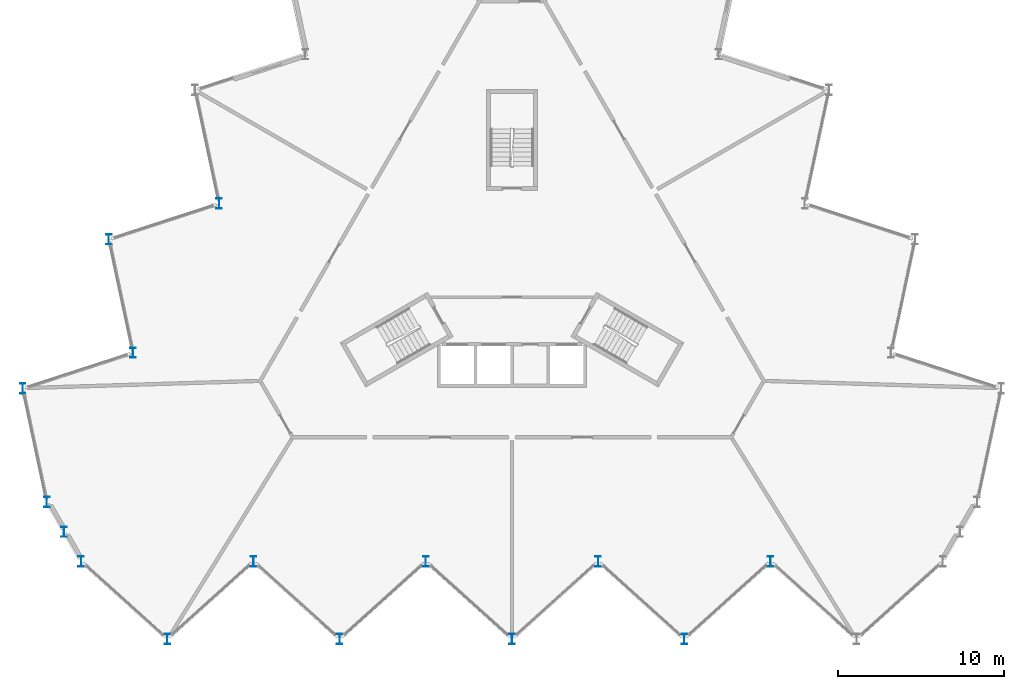
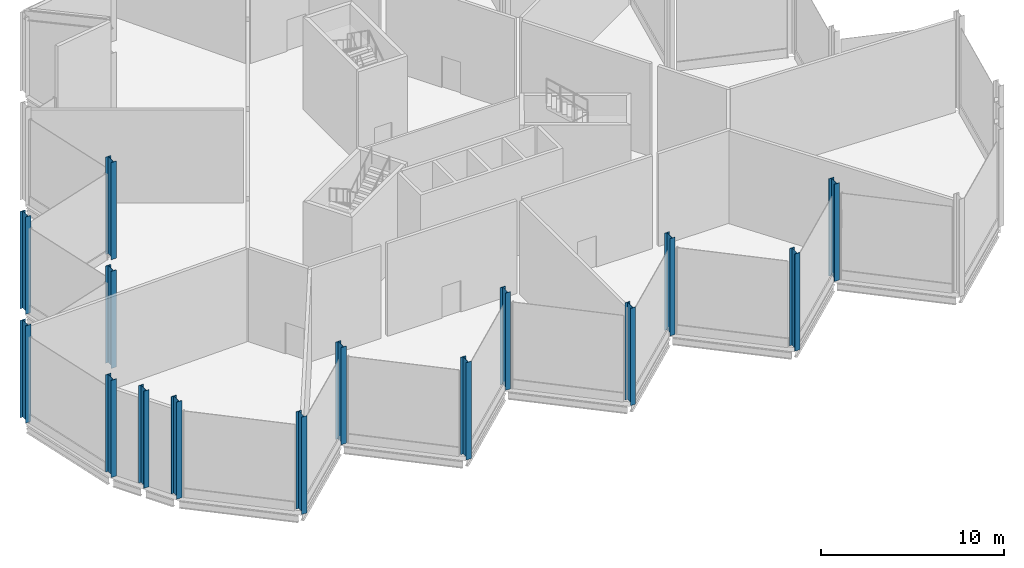
# One storey, part 1 of 12: 15 columns.
"""IFC4 building model written with IfcOpenShell, lengths in metres."""

from ifc_helpers import new_model, si_unit, direction, frame, origin, origin_2d, place, context, subcontext, project, spatial, i_section, extrude, material, material_profile, profile_set, type_object, element, save


model = new_model("IFC4")

# Units and contexts
model_context = context("Model", 3, precision=1e-05, world=origin(), true_north=direction((0.0, 1.0)))
body_context = subcontext(model_context, "Body", "Model", "MODEL_VIEW")
ifc_project = project(units=[si_unit("LENGTHUNIT", "METRE"), si_unit("AREAUNIT", "SQUARE_METRE"), si_unit("VOLUMEUNIT", "CUBIC_METRE"), si_unit("PLANEANGLEUNIT", "RADIAN"), si_unit("MASSUNIT", "GRAM", prefix="KILO")], contexts=[model_context])

# Site, building, storey
site_placement = place(None, origin())
site = spatial("IfcSite", under=ifc_project, at=site_placement, CompositionType="ELEMENT")
building_placement = place(site_placement, origin())
building = spatial("IfcBuilding", under=site, at=building_placement, Name="Cormorant Prow Tower", CompositionType="ELEMENT")
storey_placement = place(building_placement, frame((0.0, 0.0, 434.699951171875)))
storey = spatial("IfcBuildingStorey", under=building, at=storey_placement, Name="L97", CompositionType="ELEMENT", Elevation=434.699951171875)

# Columns
ifc_material = material(Name="Structural steel ASTM A992 Gr 50", Category="steel")
ifc_material_profile = material_profile(ifc_material, i_section(OverallWidth=0.326416015625, OverallDepth=0.621826171875, WebThickness=0.015380859375, FlangeThickness=0.0244140625, at=origin_2d()), Name="W24x131")
ifc_profile_set = profile_set([ifc_material_profile], Name="Structural steel ASTM A992 Gr 50")
column_type = type_object("IfcColumnType", Name="Crown frame column W24x131", PredefinedType="COLUMN", material=ifc_profile_set)
for number, where, z_axis, x_axis, name in (
    (1, (-26.0, -17.40576171875, 0.0), (0.0, 0.0, 1.0), (1.0, 0.0, 0.0), "Crown frame column at S00 L97"),
    (2, (-20.800048828125, -22.087890625, 0.0), (0.0, 0.0, 1.0), (1.0, 0.0, 0.0), "Crown frame column at S01 L97"),
    (3, (-15.60009765625, -17.40576171875, 0.0), (0.0, 0.0, 1.0), (1.0, 0.0, 0.0), "Crown frame column at S02 L97"),
    (4, (-10.39990234375, -22.087890625, 0.0), (0.0, 0.0, 1.0), (1.0, 0.0, 0.0), "Crown frame column at S03 L97"),
    (5, (-5.199951171875, -17.40576171875, 0.0), (0.0, 0.0, 1.0), (1.0, 0.0, 0.0), "Crown frame column at S04 L97"),
    (6, (0.0, -22.087890625, 0.0), (0.0, 0.0, 1.0), (1.0, 0.0, 0.0), "Crown frame column at S05 L97"),
    (7, (5.199951171875, -17.40576171875, 0.0), (0.0, 0.0, 1.0), (1.0, 0.0, 0.0), "Crown frame column at S06 L97"),
    (8, (10.39990234375, -22.087890625, 0.0), (0.0, 0.0, 1.0), (1.0, 0.0, 0.0), "Crown frame column at S07 L97"),
    (9, (15.60009765625, -17.40576171875, 0.0), (0.0, 0.0, 1.0), (1.0, 0.0, 0.0), "Crown frame column at S08 L97"),
    (10, (-17.673828125, 4.199462890625, 0.0), (0.0, 0.0, 1.0), (1.0, 0.0, 0.0), "Crown frame column at WNW06 L97"),
    (11, (-24.32861328125, 2.037353515625, 0.0), (0.0, 0.0, 1.0), (1.0, 0.0, 0.0), "Crown frame column at WNW07 L97"),
    (12, (-22.873779296875, -4.80712890625, 0.0), (0.0, 0.0, 1.0), (1.0, 0.0, 0.0), "Crown frame column at WNW08 L97"),
    (13, (-29.528564453125, -6.969482421875, 0.0), (0.0, 0.0, 1.0), (1.0, 0.0, 0.0), "Crown frame column at WNW09 L97"),
    (14, (-28.07373046875, -13.813720703125, 0.0), (0.0, 0.0, 1.0), (1.0, 0.0, 0.0), "Crown frame column at WSW00 L97"),
    (15, (-27.036865234375, -15.60986328125, 0.0), (0.0, 0.0, 1.0), (1.0, 0.0, 0.0), "Crown frame column at WSW01 L97"),
):
    element("IfcColumn", number, at=place(storey_placement, frame(where, z_axis=z_axis, x_axis=x_axis)), inside=storey, type_object=column_type, Name=name, PredefinedType="COLUMN", context=body_context, shape_type="SweptSolid", body=[
        extrude(i_section(OverallWidth=0.326416015625, OverallDepth=0.621826171875, WebThickness=0.015380859375, FlangeThickness=0.0244140625, at=origin_2d()), origin(), (0.0, 0.0, 1.0), 6.5),
    ])

save(model, "model.ifc")
